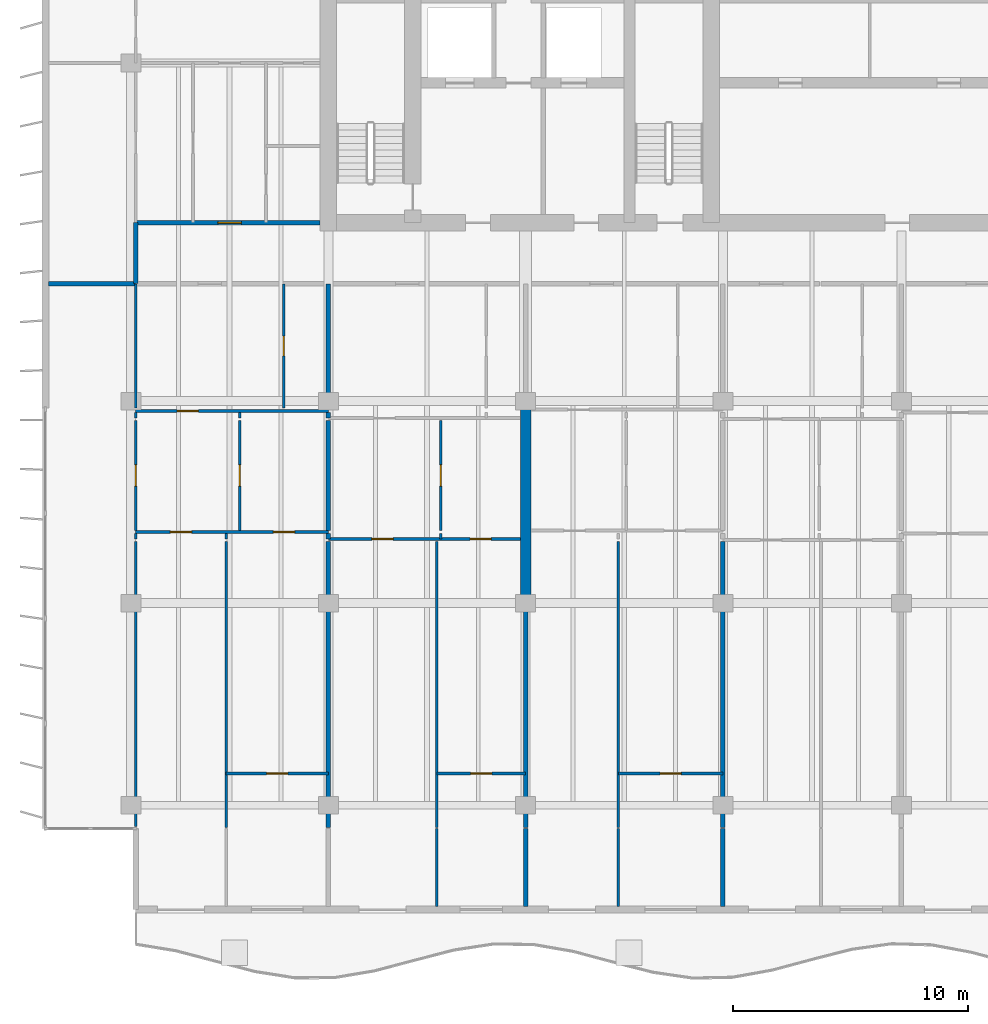
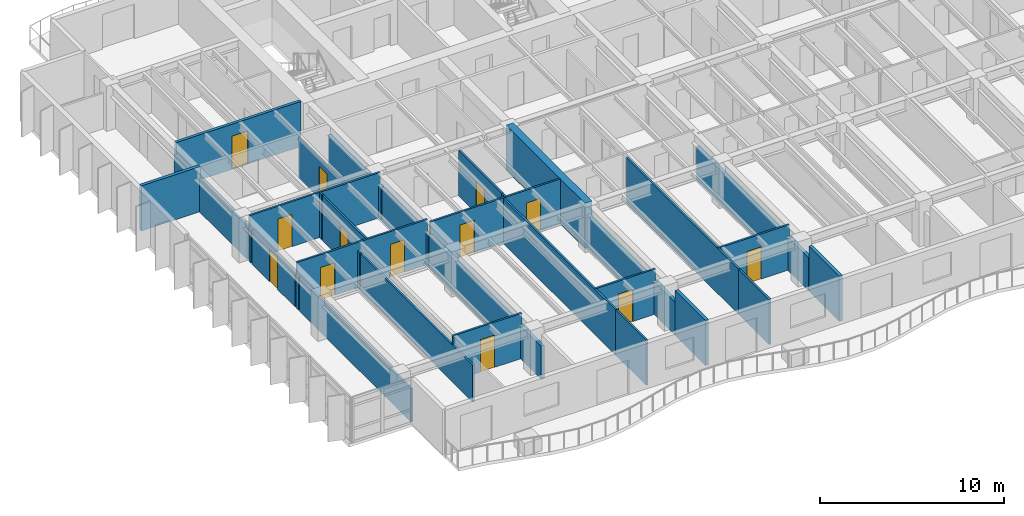
# One storey, part 8 of 19: 35 walls, 13 doors, 13 openings.
"""IFC4 building model written with IfcOpenShell, lengths in metres."""

from ifc_helpers import new_model, si_unit, direction, frame, frame_2d, origin, place, context, subcontext, project, spatial, rectangle, extrude, material, layer, layer_set, type_object, element, fill, save


model = new_model("IFC4")

# Units and contexts
model_context = context("Model", 3, precision=1e-05, world=origin(), true_north=direction((0.0, 1.0)))
body_context = subcontext(model_context, "Body", "Model", "MODEL_VIEW")
ifc_project = project(units=[si_unit("LENGTHUNIT", "METRE"), si_unit("AREAUNIT", "SQUARE_METRE"), si_unit("VOLUMEUNIT", "CUBIC_METRE"), si_unit("PLANEANGLEUNIT", "RADIAN"), si_unit("MASSUNIT", "GRAM", prefix="KILO")], contexts=[model_context])

# Site, building, storey
site_placement = place(None, origin())
site = spatial("IfcSite", under=ifc_project, at=site_placement, CompositionType="ELEMENT")
building_placement = place(site_placement, origin())
building = spatial("IfcBuilding", under=site, at=building_placement, Name="Caelmar Bay Residences", CompositionType="ELEMENT")
storey_placement = place(building_placement, frame((0.0, 0.0, 218.10009765625)))
storey = spatial("IfcBuildingStorey", under=building, at=storey_placement, Name="L61", CompositionType="ELEMENT", Elevation=218.10009765625)

# Walls
ifc_material_1 = material(Name="Concrete f'c 55 MPa (8,000 psi)", Category="concrete")
ifc_layer_1 = layer(ifc_material_1, 0.449951171875)
ifc_layer_set_1 = layer_set([ifc_layer_1], Name="Concrete f'c 55 MPa (8,000 psi)")
wall_type_1 = type_object("IfcWallType", Name="SW-XSLB-450", PredefinedType="SHEAR", material=ifc_layer_set_1)
wall_1_placement = place(storey_placement, frame((26.699951171875, 20.800048828125, 0.0), z_axis=(0.0, 0.0, 1.0), x_axis=(0.0, 1.0, 0.0)))
element("IfcWall", 1, at=wall_1_placement, inside=storey, type_object=wall_type_1, Name="L61 Transverse Cross-Slab Shear Wall W5", PredefinedType="SHEAR", context=body_context, shape_type="SweptSolid", body=[
    extrude(rectangle(XDim=8.599853515625, YDim=0.449951171875, at=frame_2d((4.2998046875, 0.0))), origin(), (0.0, 0.0, 1.0), 3.0),
])
ifc_material_2 = material(Name="Double-stud acoustic fire-rated gypsum partition 180 mm")
ifc_layer_2 = layer(ifc_material_2, 0.179931640625)
ifc_layer_set_2 = layer_set([ifc_layer_2], Name="Double-stud acoustic fire-rated gypsum partition 180 mm")
wall_type_2 = type_object("IfcWallType", Name="W-COR-200", PredefinedType="PARTITIONING", material=ifc_layer_set_2)
wall_2_placement = place(storey_placement, frame((10.10009765625, 34.405029296875, 0.0), z_axis=(0.0, 0.0, 1.0), x_axis=(0.0, 1.0, 0.0)))
element("IfcWall", 2, at=wall_2_placement, inside=storey, type_object=wall_type_2, Name="L61 Partition Wall V006", PredefinedType="PARTITIONING", context=body_context, shape_type="SweptSolid", body=[
    extrude(rectangle(XDim=2.594970703125, YDim=0.179931640625, at=frame_2d((1.29736328125, 0.0))), origin(), (0.0, 0.0, 1.0), 2.212890625),
])

# Wall, opening, door
wall_3_placement = place(storey_placement, frame((10.10009765625, 37.0, 0.0), z_axis=(0.0, 0.0, 1.0), x_axis=(1.0, 0.0, 0.0)))
wall_3 = element("IfcWall", 3, at=wall_3_placement, inside=storey, type_object=wall_type_2, Name="L61 Partition Wall H130", PredefinedType="PARTITIONING", context=body_context, shape_type="SweptSolid", body=[
    extrude(rectangle(XDim=7.844970703125, YDim=0.179931640625, at=frame_2d((3.92236328125, 0.0))), origin(), (0.0, 0.0, 1.0), 3.0),
])
opening_1_placement = place(wall_3_placement, frame((3.49609375, 0.0, 0.0)))
opening_1 = element("IfcOpeningElement", 4, at=opening_1_placement, cuts=wall_3, Name="Opening D-L61-171", PredefinedType="OPENING", context=body_context, shape_type="SweptSolid", body=[
    extrude(rectangle(XDim=1.0, YDim=2.199951171875, at=frame_2d((0.5, 1.10009765625))), frame((0.0, 0.099853515625, 0.0), z_axis=(0.0, -1.0, 0.0), x_axis=(1.0, 0.0, 0.0)), (0.0, 0.0, 1.0), 0.199951171875),
])
ifc_material_3 = material(Name="Fire-rated steel and walnut architectural door assembly", Category="steel")
ifc_layer_3 = layer(ifc_material_3, 0.050048828125)
ifc_layer_set_3 = layer_set([ifc_layer_3], Name="Fire-rated steel and walnut architectural door assembly")
door_type_1 = type_object("IfcDoorType", Name="D-UNIT-1000", OperationType="NOTDEFINED", PredefinedType="DOOR", material=ifc_layer_set_3)
door_1_placement = place(opening_1_placement, origin())
door_1 = element("IfcDoor", 5, at=door_1_placement, inside=storey, type_object=door_type_1, Name="L61 Residence WA Kitchen Door", OperationType="SINGLE_SWING_LEFT", OverallHeight=2.199951171875, OverallWidth=1.0, PredefinedType="DOOR", context=body_context, shape_type="SweptSolid", body=[
    extrude(rectangle(XDim=1.0, YDim=2.199951171875, at=frame_2d((0.5, 1.10009765625))), frame((0.0, 0.02490234375, 0.0), z_axis=(0.0, -1.0, 0.0), x_axis=(1.0, 0.0, 0.0)), (0.0, 0.0, 1.0), 0.050048828125),
])
fill(opening_1, door_1)

# Walls
ifc_material_4 = material(Name="Acoustic metal-stud gypsum partition 120 mm")
ifc_layer_4 = layer(ifc_material_4, 0.1201171875)
ifc_layer_set_4 = layer_set([ifc_layer_4], Name="Acoustic metal-stud gypsum partition 120 mm")
wall_type_3 = type_object("IfcWallType", Name="W-PRT-120", PredefinedType="PARTITIONING", material=ifc_layer_set_4)
wall_4_placement = place(storey_placement, frame((10.10009765625, 11.284912109375, 0.0), z_axis=(0.0, 0.0, 1.0), x_axis=(0.0, 1.0, 0.0)))
element("IfcWall", 6, at=wall_4_placement, inside=storey, type_object=wall_type_3, Name="L61 Partition Wall V001", PredefinedType="PARTITIONING", context=body_context, shape_type="SweptSolid", body=[
    extrude(rectangle(XDim=12.14501953125, YDim=0.1201171875, at=frame_2d((6.072509765625, 0.0))), origin(), (0.0, 0.0, 1.0), 2.212890625),
])
wall_5_placement = place(storey_placement, frame((10.10009765625, 23.530029296875, 0.0), z_axis=(0.0, 0.0, 1.0), x_axis=(0.0, 1.0, 0.0)))
element("IfcWall", 7, at=wall_5_placement, inside=storey, type_object=wall_type_3, Name="L61 Partition Wall V002", PredefinedType="PARTITIONING", context=body_context, shape_type="SweptSolid", body=[
    extrude(rectangle(XDim=0.239990234375, YDim=0.1201171875, at=frame_2d((0.1201171875, 0.0))), origin(), (0.0, 0.0, 1.0), 2.212890625),
])

# Wall, opening, door
wall_6_placement = place(storey_placement, frame((10.10009765625, 23.889892578125, 0.0), z_axis=(0.0, 0.0, 1.0), x_axis=(0.0, 1.0, 0.0)))
wall_6 = element("IfcWall", 8, at=wall_6_placement, inside=storey, type_object=wall_type_3, Name="L61 Partition Wall V003", PredefinedType="PARTITIONING", context=body_context, shape_type="SweptSolid", body=[
    extrude(rectangle(XDim=4.690185546875, YDim=0.1201171875, at=frame_2d((2.34521484375, 0.0))), origin(), (0.0, 0.0, 1.0), 2.212890625),
])
opening_2_placement = place(wall_6_placement, frame((1.89501953125, 0.0, 0.0)))
opening_2 = element("IfcOpeningElement", 9, at=opening_2_placement, cuts=wall_6, Name="Opening D-L61-168", PredefinedType="OPENING", context=body_context, shape_type="SweptSolid", body=[
    extrude(rectangle(XDim=0.89990234375, YDim=2.14990234375, at=frame_2d((0.449951171875, 1.074951171875))), frame((0.0, 0.070068359375, 0.0), z_axis=(0.0, -1.0, 0.0), x_axis=(1.0, 0.0, 0.0)), (0.0, 0.0, 1.0), 0.14013671875),
])
ifc_material_5 = material(Name="Solid walnut timber interior door leaf and frame", Category="wood")
ifc_layer_5 = layer(ifc_material_5, 0.050048828125)
ifc_layer_set_5 = layer_set([ifc_layer_5], Name="Solid walnut timber interior door leaf and frame")
door_type_2 = type_object("IfcDoorType", Name="D-ROOM-900", OperationType="NOTDEFINED", PredefinedType="DOOR", material=ifc_layer_set_5)
door_2_placement = place(opening_2_placement, origin())
door_2 = element("IfcDoor", 10, at=door_2_placement, inside=storey, type_object=door_type_2, Name="L61 Residence 01 Penthouse West Salon Door", OperationType="SINGLE_SWING_RIGHT", OverallHeight=2.14990234375, OverallWidth=0.89990234375, PredefinedType="DOOR", context=body_context, shape_type="SweptSolid", body=[
    extrude(rectangle(XDim=0.89990234375, YDim=2.14990234375, at=frame_2d((0.449951171875, 1.074951171875))), frame((0.0, 0.02490234375, 0.0), z_axis=(0.0, -1.0, 0.0), x_axis=(1.0, 0.0, 0.0)), (0.0, 0.0, 1.0), 0.050048828125),
])
fill(opening_2, door_2)

# Walls
wall_7_placement = place(storey_placement, frame((10.10009765625, 28.679931640625, 0.0), z_axis=(0.0, 0.0, 1.0), x_axis=(0.0, 1.0, 0.0)))
element("IfcWall", 11, at=wall_7_placement, inside=storey, type_object=wall_type_3, Name="L61 Partition Wall V004", PredefinedType="PARTITIONING", context=body_context, shape_type="SweptSolid", body=[
    extrude(rectangle(XDim=0.239990234375, YDim=0.1201171875, at=frame_2d((0.1201171875, 0.0))), origin(), (0.0, 0.0, 1.0), 2.212890625),
])
wall_8_placement = place(storey_placement, frame((10.10009765625, 29.10009765625, 0.0), z_axis=(0.0, 0.0, 1.0), x_axis=(0.0, 1.0, 0.0)))
element("IfcWall", 12, at=wall_8_placement, inside=storey, type_object=wall_type_3, Name="L61 Partition Wall V005", PredefinedType="PARTITIONING", context=body_context, shape_type="SweptSolid", body=[
    extrude(rectangle(XDim=5.2998046875, YDim=0.1201171875, at=frame_2d((2.64990234375, 0.0))), origin(), (0.0, 0.0, 1.0), 2.212890625),
])
wall_9_placement = place(storey_placement, frame((13.9541015625, 11.239990234375, 0.0), z_axis=(0.0, 0.0, 1.0), x_axis=(0.0, 1.0, 0.0)))
element("IfcWall", 13, at=wall_9_placement, inside=storey, type_object=wall_type_3, Name="L61 Partition Wall V011", PredefinedType="PARTITIONING", context=body_context, shape_type="SweptSolid", body=[
    extrude(rectangle(XDim=12.18994140625, YDim=0.1201171875, at=frame_2d((6.094970703125, 0.0))), origin(), (0.0, 0.0, 1.0), 2.448974609375),
])
wall_10_placement = place(storey_placement, frame((13.9541015625, 23.530029296875, 0.0), z_axis=(0.0, 0.0, 1.0), x_axis=(0.0, 1.0, 0.0)))
element("IfcWall", 14, at=wall_10_placement, inside=storey, type_object=wall_type_3, Name="L61 Partition Wall V012", PredefinedType="PARTITIONING", context=body_context, shape_type="SweptSolid", body=[
    extrude(rectangle(XDim=0.239990234375, YDim=0.1201171875, at=frame_2d((0.1201171875, 0.0))), origin(), (0.0, 0.0, 1.0), 2.448974609375),
])

# Wall, opening, door
wall_11_placement = place(storey_placement, frame((14.528076171875, 23.889892578125, 0.0), z_axis=(0.0, 0.0, 1.0), x_axis=(0.0, 1.0, 0.0)))
wall_11 = element("IfcWall", 15, at=wall_11_placement, inside=storey, type_object=wall_type_3, Name="L61 Partition Wall V013", PredefinedType="PARTITIONING", context=body_context, shape_type="SweptSolid", body=[
    extrude(rectangle(XDim=4.690185546875, YDim=0.1201171875, at=frame_2d((2.34521484375, 0.0))), origin(), (0.0, 0.0, 1.0), 3.0),
])
opening_3_placement = place(wall_11_placement, frame((1.89501953125, 0.0, 0.0)))
opening_3 = element("IfcOpeningElement", 16, at=opening_3_placement, cuts=wall_11, Name="Opening D-L61-123", PredefinedType="OPENING", context=body_context, shape_type="SweptSolid", body=[
    extrude(rectangle(XDim=0.89990234375, YDim=2.14990234375, at=frame_2d((0.449951171875, 1.074951171875))), frame((0.0, 0.070068359375, 0.0), z_axis=(0.0, -1.0, 0.0), x_axis=(1.0, 0.0, 0.0)), (0.0, 0.0, 1.0), 0.14013671875),
])
door_3_placement = place(opening_3_placement, origin())
door_3 = element("IfcDoor", 17, at=door_3_placement, inside=storey, type_object=door_type_2, Name="L61 Residence 01 Curator Office Door", OperationType="SINGLE_SWING_LEFT", OverallHeight=2.14990234375, OverallWidth=0.89990234375, PredefinedType="DOOR", context=body_context, shape_type="SweptSolid", body=[
    extrude(rectangle(XDim=0.89990234375, YDim=2.14990234375, at=frame_2d((0.449951171875, 1.074951171875))), frame((0.0, 0.02490234375, 0.0), z_axis=(0.0, -1.0, 0.0), x_axis=(1.0, 0.0, 0.0)), (0.0, 0.0, 1.0), 0.050048828125),
])
fill(opening_3, door_3)

# Wall
wall_12_placement = place(storey_placement, frame((14.528076171875, 28.679931640625, 0.0), z_axis=(0.0, 0.0, 1.0), x_axis=(0.0, 1.0, 0.0)))
element("IfcWall", 18, at=wall_12_placement, inside=storey, type_object=wall_type_3, Name="L61 Partition Wall V014", PredefinedType="PARTITIONING", context=body_context, shape_type="SweptSolid", body=[
    extrude(rectangle(XDim=0.239990234375, YDim=0.1201171875, at=frame_2d((0.1201171875, 0.0))), origin(), (0.0, 0.0, 1.0), 3.0),
])

# Wall, opening, door
wall_13_placement = place(storey_placement, frame((16.39990234375, 29.10009765625, 0.0), z_axis=(0.0, 0.0, 1.0), x_axis=(0.0, 1.0, 0.0)))
wall_13 = element("IfcWall", 19, at=wall_13_placement, inside=storey, type_object=wall_type_3, Name="L61 Partition Wall V016", PredefinedType="PARTITIONING", context=body_context, shape_type="SweptSolid", body=[
    extrude(rectangle(XDim=5.2998046875, YDim=0.1201171875, at=frame_2d((2.64990234375, 0.0))), origin(), (0.0, 0.0, 1.0), 2.6748046875),
])
opening_4_placement = place(wall_13_placement, frame((2.22509765625, 0.0, 0.0)))
opening_4 = element("IfcOpeningElement", 20, at=opening_4_placement, cuts=wall_13, Name="Opening D-L61-121", PredefinedType="OPENING", context=body_context, shape_type="SweptSolid", body=[
    extrude(rectangle(XDim=0.85009765625, YDim=2.10009765625, at=frame_2d((0.425048828125, 1.050048828125))), frame((0.0, 0.070068359375, 0.0), z_axis=(0.0, -1.0, 0.0), x_axis=(1.0, 0.0, 0.0)), (0.0, 0.0, 1.0), 0.14013671875),
])
ifc_layer_6 = layer(ifc_material_5, 0.050048828125)
ifc_layer_set_6 = layer_set([ifc_layer_6], Name="Solid walnut timber interior door leaf and frame")
door_type_3 = type_object("IfcDoorType", Name="D-BATH-850", OperationType="NOTDEFINED", PredefinedType="DOOR", material=ifc_layer_set_6)
door_4_placement = place(opening_4_placement, origin())
door_4 = element("IfcDoor", 21, at=door_4_placement, inside=storey, type_object=door_type_3, Name="L61 Residence 01 Bathroom Door", OperationType="SINGLE_SWING_LEFT", OverallHeight=2.10009765625, OverallWidth=0.85009765625, PredefinedType="DOOR", context=body_context, shape_type="SweptSolid", body=[
    extrude(rectangle(XDim=0.85009765625, YDim=2.10009765625, at=frame_2d((0.425048828125, 1.050048828125))), frame((0.0, 0.02490234375, 0.0), z_axis=(0.0, -1.0, 0.0), x_axis=(1.0, 0.0, 0.0)), (0.0, 0.0, 1.0), 0.050048828125),
])
fill(opening_4, door_4)

# Walls
wall_14_placement = place(storey_placement, frame((22.919921875, 7.89501953125, 0.0), z_axis=(0.0, 0.0, 1.0), x_axis=(0.0, 1.0, 0.0)))
element("IfcWall", 22, at=wall_14_placement, inside=storey, type_object=wall_type_3, Name="L61 Partition Wall V024", PredefinedType="PARTITIONING", context=body_context, shape_type="SweptSolid", body=[
    extrude(rectangle(XDim=3.304931640625, YDim=0.1201171875, at=frame_2d((1.65234375, 0.0))), origin(), (0.0, 0.0, 1.0), 3.0),
])
wall_15_placement = place(storey_placement, frame((22.919921875, 11.239990234375, 0.0), z_axis=(0.0, 0.0, 1.0), x_axis=(0.0, 1.0, 0.0)))
element("IfcWall", 23, at=wall_15_placement, inside=storey, type_object=wall_type_3, Name="L61 Partition Wall V025", PredefinedType="PARTITIONING", context=body_context, shape_type="SweptSolid", body=[
    extrude(rectangle(XDim=12.18994140625, YDim=0.1201171875, at=frame_2d((6.094970703125, 0.0))), origin(), (0.0, 0.0, 1.0), 3.0),
])
wall_16_placement = place(storey_placement, frame((23.0859375, 23.530029296875, 0.0), z_axis=(0.0, 0.0, 1.0), x_axis=(0.0, 1.0, 0.0)))
element("IfcWall", 24, at=wall_16_placement, inside=storey, type_object=wall_type_3, Name="L61 Partition Wall V026", PredefinedType="PARTITIONING", context=body_context, shape_type="SweptSolid", body=[
    extrude(rectangle(XDim=0.239990234375, YDim=0.1201171875, at=frame_2d((0.1201171875, 0.0))), origin(), (0.0, 0.0, 1.0), 3.0),
])

# Wall, opening, door
wall_17_placement = place(storey_placement, frame((23.0859375, 23.889892578125, 0.0), z_axis=(0.0, 0.0, 1.0), x_axis=(0.0, 1.0, 0.0)))
wall_17 = element("IfcWall", 25, at=wall_17_placement, inside=storey, type_object=wall_type_3, Name="L61 Partition Wall V027", PredefinedType="PARTITIONING", context=body_context, shape_type="SweptSolid", body=[
    extrude(rectangle(XDim=4.690185546875, YDim=0.1201171875, at=frame_2d((2.34521484375, 0.0))), origin(), (0.0, 0.0, 1.0), 3.0),
])
opening_5_placement = place(wall_17_placement, frame((1.89501953125, 0.0, 0.0)))
opening_5 = element("IfcOpeningElement", 26, at=opening_5_placement, cuts=wall_17, Name="Opening D-L61-130", PredefinedType="OPENING", context=body_context, shape_type="SweptSolid", body=[
    extrude(rectangle(XDim=0.89990234375, YDim=2.14990234375, at=frame_2d((0.449951171875, 1.074951171875))), frame((0.0, 0.070068359375, 0.0), z_axis=(0.0, -1.0, 0.0), x_axis=(1.0, 0.0, 0.0)), (0.0, 0.0, 1.0), 0.14013671875),
])
door_5_placement = place(opening_5_placement, origin())
door_5 = element("IfcDoor", 27, at=door_5_placement, inside=storey, type_object=door_type_2, Name="L61 Residence 02 Curator Office Door", OperationType="SINGLE_SWING_RIGHT", OverallHeight=2.14990234375, OverallWidth=0.89990234375, PredefinedType="DOOR", context=body_context, shape_type="SweptSolid", body=[
    extrude(rectangle(XDim=0.89990234375, YDim=2.14990234375, at=frame_2d((0.449951171875, 1.074951171875))), frame((0.0, 0.02490234375, 0.0), z_axis=(0.0, -1.0, 0.0), x_axis=(1.0, 0.0, 0.0)), (0.0, 0.0, 1.0), 0.050048828125),
])
fill(opening_5, door_5)

# Walls
wall_18_placement = place(storey_placement, frame((30.64794921875, 7.89501953125, 0.0), z_axis=(0.0, 0.0, 1.0), x_axis=(0.0, 1.0, 0.0)))
element("IfcWall", 28, at=wall_18_placement, inside=storey, type_object=wall_type_3, Name="L61 Partition Wall V036", PredefinedType="PARTITIONING", context=body_context, shape_type="SweptSolid", body=[
    extrude(rectangle(XDim=3.304931640625, YDim=0.1201171875, at=frame_2d((1.65234375, 0.0))), origin(), (0.0, 0.0, 1.0), 3.0),
])
wall_19_placement = place(storey_placement, frame((30.64794921875, 11.239990234375, 0.0), z_axis=(0.0, 0.0, 1.0), x_axis=(0.0, 1.0, 0.0)))
element("IfcWall", 29, at=wall_19_placement, inside=storey, type_object=wall_type_3, Name="L61 Partition Wall V037", PredefinedType="PARTITIONING", context=body_context, shape_type="SweptSolid", body=[
    extrude(rectangle(XDim=12.18994140625, YDim=0.1201171875, at=frame_2d((6.094970703125, 0.0))), origin(), (0.0, 0.0, 1.0), 3.0),
])

# Wall, opening, door
wall_20_placement = place(storey_placement, frame((13.9541015625, 13.550048828125, 0.0), z_axis=(0.0, 0.0, 1.0), x_axis=(1.0, 0.0, 0.0)))
wall_20 = element("IfcWall", 30, at=wall_20_placement, inside=storey, type_object=wall_type_3, Name="L61 Partition Wall H104", PredefinedType="PARTITIONING", context=body_context, shape_type="SweptSolid", body=[
    extrude(rectangle(XDim=4.345947265625, YDim=0.1201171875, at=frame_2d((2.1728515625, 0.0))), origin(), (0.0, 0.0, 1.0), 3.0),
])
opening_6_placement = place(wall_20_placement, frame((1.722900390625, 0.0, 0.0)))
opening_6 = element("IfcOpeningElement", 31, at=opening_6_placement, cuts=wall_20, Name="Opening D-L61-126", PredefinedType="OPENING", context=body_context, shape_type="SweptSolid", body=[
    extrude(rectangle(XDim=0.89990234375, YDim=2.14990234375, at=frame_2d((0.449951171875, 1.074951171875))), frame((0.0, 0.070068359375, 0.0), z_axis=(0.0, -1.0, 0.0), x_axis=(1.0, 0.0, 0.0)), (0.0, 0.0, 1.0), 0.14013671875),
])
door_6_placement = place(opening_6_placement, origin())
door_6 = element("IfcDoor", 32, at=door_6_placement, inside=storey, type_object=door_type_2, Name="L61 Residence 01 Primary Bedroom Door", OperationType="SINGLE_SWING_RIGHT", OverallHeight=2.14990234375, OverallWidth=0.89990234375, PredefinedType="DOOR", context=body_context, shape_type="SweptSolid", body=[
    extrude(rectangle(XDim=0.89990234375, YDim=2.14990234375, at=frame_2d((0.449951171875, 1.074951171875))), frame((0.0, 0.02490234375, 0.0), z_axis=(0.0, -1.0, 0.0), x_axis=(1.0, 0.0, 0.0)), (0.0, 0.0, 1.0), 0.050048828125),
])
fill(opening_6, door_6)

wall_21_placement = place(storey_placement, frame((22.919921875, 13.550048828125, 0.0), z_axis=(0.0, 0.0, 1.0), x_axis=(1.0, 0.0, 0.0)))
wall_21 = element("IfcWall", 33, at=wall_21_placement, inside=storey, type_object=wall_type_3, Name="L61 Partition Wall H105", PredefinedType="PARTITIONING", context=body_context, shape_type="SweptSolid", body=[
    extrude(rectangle(XDim=3.780029296875, YDim=0.1201171875, at=frame_2d((1.89013671875, 0.0))), origin(), (0.0, 0.0, 1.0), 3.0),
])
opening_7_placement = place(wall_21_placement, frame((1.43994140625, 0.0, 0.0)))
opening_7 = element("IfcOpeningElement", 34, at=opening_7_placement, cuts=wall_21, Name="Opening D-L61-133", PredefinedType="OPENING", context=body_context, shape_type="SweptSolid", body=[
    extrude(rectangle(XDim=0.89990234375, YDim=2.14990234375, at=frame_2d((0.449951171875, 1.074951171875))), frame((0.0, 0.070068359375, 0.0), z_axis=(0.0, -1.0, 0.0), x_axis=(1.0, 0.0, 0.0)), (0.0, 0.0, 1.0), 0.14013671875),
])
door_7_placement = place(opening_7_placement, origin())
door_7 = element("IfcDoor", 35, at=door_7_placement, inside=storey, type_object=door_type_2, Name="L61 Residence 02 Primary Bedroom Door", OperationType="SINGLE_SWING_LEFT", OverallHeight=2.14990234375, OverallWidth=0.89990234375, PredefinedType="DOOR", context=body_context, shape_type="SweptSolid", body=[
    extrude(rectangle(XDim=0.89990234375, YDim=2.14990234375, at=frame_2d((0.449951171875, 1.074951171875))), frame((0.0, 0.02490234375, 0.0), z_axis=(0.0, -1.0, 0.0), x_axis=(1.0, 0.0, 0.0)), (0.0, 0.0, 1.0), 0.050048828125),
])
fill(opening_7, door_7)

wall_22_placement = place(storey_placement, frame((30.64794921875, 13.550048828125, 0.0), z_axis=(0.0, 0.0, 1.0), x_axis=(1.0, 0.0, 0.0)))
wall_22 = element("IfcWall", 36, at=wall_22_placement, inside=storey, type_object=wall_type_3, Name="L61 Partition Wall H106", PredefinedType="PARTITIONING", context=body_context, shape_type="SweptSolid", body=[
    extrude(rectangle(XDim=4.4521484375, YDim=0.1201171875, at=frame_2d((2.22607421875, 0.0))), origin(), (0.0, 0.0, 1.0), 3.0),
])
opening_8_placement = place(wall_22_placement, frame((1.77587890625, 0.0, 0.0)))
opening_8 = element("IfcOpeningElement", 37, at=opening_8_placement, cuts=wall_22, Name="Opening D-L61-140", PredefinedType="OPENING", context=body_context, shape_type="SweptSolid", body=[
    extrude(rectangle(XDim=0.89990234375, YDim=2.14990234375, at=frame_2d((0.449951171875, 1.074951171875))), frame((0.0, 0.070068359375, 0.0), z_axis=(0.0, -1.0, 0.0), x_axis=(1.0, 0.0, 0.0)), (0.0, 0.0, 1.0), 0.14013671875),
])
door_8_placement = place(opening_8_placement, origin())
door_8 = element("IfcDoor", 38, at=door_8_placement, inside=storey, type_object=door_type_2, Name="L61 Residence 03 Primary Bedroom Door", OperationType="SINGLE_SWING_RIGHT", OverallHeight=2.14990234375, OverallWidth=0.89990234375, PredefinedType="DOOR", context=body_context, shape_type="SweptSolid", body=[
    extrude(rectangle(XDim=0.89990234375, YDim=2.14990234375, at=frame_2d((0.449951171875, 1.074951171875))), frame((0.0, 0.02490234375, 0.0), z_axis=(0.0, -1.0, 0.0), x_axis=(1.0, 0.0, 0.0)), (0.0, 0.0, 1.0), 0.050048828125),
])
fill(opening_8, door_8)

# Wall, openings, doors
wall_23_placement = place(storey_placement, frame((18.300048828125, 23.530029296875, 0.0), z_axis=(0.0, 0.0, 1.0), x_axis=(1.0, 0.0, 0.0)))
wall_23 = element("IfcWall", 39, at=wall_23_placement, inside=storey, type_object=wall_type_3, Name="L61 Partition Wall H113", PredefinedType="PARTITIONING", context=body_context, shape_type="SweptSolid", body=[
    extrude(rectangle(XDim=8.179931640625, YDim=0.1201171875, at=frame_2d((4.08984375, 0.0))), origin(), (0.0, 0.0, 1.0), 3.0),
])
opening_9_placement = place(wall_23_placement, frame((1.860107421875, 0.0, 0.0)))
opening_9 = element("IfcOpeningElement", 40, at=opening_9_placement, cuts=wall_23, Name="Opening D-L61-131", PredefinedType="OPENING", context=body_context, shape_type="SweptSolid", body=[
    extrude(rectangle(XDim=0.89990234375, YDim=2.14990234375, at=frame_2d((0.449951171875, 1.074951171875))), frame((0.0, 0.070068359375, 0.0), z_axis=(0.0, -1.0, 0.0), x_axis=(1.0, 0.0, 0.0)), (0.0, 0.0, 1.0), 0.14013671875),
])
opening_10_placement = place(wall_23_placement, frame((6.032958984375, 0.0, 0.0)))
opening_10 = element("IfcOpeningElement", 41, at=opening_10_placement, cuts=wall_23, Name="Opening D-L61-132", PredefinedType="OPENING", context=body_context, shape_type="SweptSolid", body=[
    extrude(rectangle(XDim=0.89990234375, YDim=2.14990234375, at=frame_2d((0.449951171875, 1.074951171875))), frame((0.0, 0.070068359375, 0.0), z_axis=(0.0, -1.0, 0.0), x_axis=(1.0, 0.0, 0.0)), (0.0, 0.0, 1.0), 0.14013671875),
])
door_9_placement = place(opening_9_placement, origin())
door_9 = element("IfcDoor", 42, at=door_9_placement, inside=storey, type_object=door_type_2, Name="L61 Residence 02 Living Room Door", OperationType="SINGLE_SWING_LEFT", OverallHeight=2.14990234375, OverallWidth=0.89990234375, PredefinedType="DOOR", context=body_context, shape_type="SweptSolid", body=[
    extrude(rectangle(XDim=0.89990234375, YDim=2.14990234375, at=frame_2d((0.449951171875, 1.074951171875))), frame((0.0, 0.02490234375, 0.0), z_axis=(0.0, -1.0, 0.0), x_axis=(1.0, 0.0, 0.0)), (0.0, 0.0, 1.0), 0.050048828125),
])
fill(opening_9, door_9)
door_10_placement = place(opening_10_placement, origin())
door_10 = element("IfcDoor", 43, at=door_10_placement, inside=storey, type_object=door_type_2, Name="L61 Residence 02 Penthouse Sitting Room Door", OperationType="SINGLE_SWING_RIGHT", OverallHeight=2.14990234375, OverallWidth=0.89990234375, PredefinedType="DOOR", context=body_context, shape_type="SweptSolid", body=[
    extrude(rectangle(XDim=0.89990234375, YDim=2.14990234375, at=frame_2d((0.449951171875, 1.074951171875))), frame((0.0, 0.02490234375, 0.0), z_axis=(0.0, -1.0, 0.0), x_axis=(1.0, 0.0, 0.0)), (0.0, 0.0, 1.0), 0.050048828125),
])
fill(opening_10, door_10)

wall_24_placement = place(storey_placement, frame((10.10009765625, 23.830078125, 0.0), z_axis=(0.0, 0.0, 1.0), x_axis=(1.0, 0.0, 0.0)))
wall_24 = element("IfcWall", 44, at=wall_24_placement, inside=storey, type_object=wall_type_3, Name="L61 Partition Wall H115", PredefinedType="PARTITIONING", context=body_context, shape_type="SweptSolid", body=[
    extrude(rectangle(XDim=8.199951171875, YDim=0.1201171875, at=frame_2d((4.10009765625, 0.0))), origin(), (0.0, 0.0, 1.0), 3.0),
])
opening_11_placement = place(wall_24_placement, frame((1.47705078125, 0.0, 0.0)))
opening_11 = element("IfcOpeningElement", 45, at=opening_11_placement, cuts=wall_24, Name="Opening D-L61-124", PredefinedType="OPENING", context=body_context, shape_type="SweptSolid", body=[
    extrude(rectangle(XDim=0.89990234375, YDim=2.14990234375, at=frame_2d((0.449951171875, 1.074951171875))), frame((0.0, 0.070068359375, 0.0), z_axis=(0.0, -1.0, 0.0), x_axis=(1.0, 0.0, 0.0)), (0.0, 0.0, 1.0), 0.14013671875),
])
opening_12_placement = place(wall_24_placement, frame((5.864013671875, 0.0, 0.0)))
opening_12 = element("IfcOpeningElement", 46, at=opening_12_placement, cuts=wall_24, Name="Opening D-L61-125", PredefinedType="OPENING", context=body_context, shape_type="SweptSolid", body=[
    extrude(rectangle(XDim=0.89990234375, YDim=2.14990234375, at=frame_2d((0.449951171875, 1.074951171875))), frame((0.0, 0.070068359375, 0.0), z_axis=(0.0, -1.0, 0.0), x_axis=(1.0, 0.0, 0.0)), (0.0, 0.0, 1.0), 0.14013671875),
])
door_11_placement = place(opening_11_placement, origin())
door_11 = element("IfcDoor", 47, at=door_11_placement, inside=storey, type_object=door_type_2, Name="L61 Residence 01 Living Room Door", OperationType="SINGLE_SWING_RIGHT", OverallHeight=2.14990234375, OverallWidth=0.89990234375, PredefinedType="DOOR", context=body_context, shape_type="SweptSolid", body=[
    extrude(rectangle(XDim=0.89990234375, YDim=2.14990234375, at=frame_2d((0.449951171875, 1.074951171875))), frame((0.0, 0.02490234375, 0.0), z_axis=(0.0, -1.0, 0.0), x_axis=(1.0, 0.0, 0.0)), (0.0, 0.0, 1.0), 0.050048828125),
])
fill(opening_11, door_11)
door_12_placement = place(opening_12_placement, origin())
door_12 = element("IfcDoor", 48, at=door_12_placement, inside=storey, type_object=door_type_2, Name="L61 Residence 01 Penthouse Sitting Room Door", OperationType="SINGLE_SWING_LEFT", OverallHeight=2.14990234375, OverallWidth=0.89990234375, PredefinedType="DOOR", context=body_context, shape_type="SweptSolid", body=[
    extrude(rectangle(XDim=0.89990234375, YDim=2.14990234375, at=frame_2d((0.449951171875, 1.074951171875))), frame((0.0, 0.02490234375, 0.0), z_axis=(0.0, -1.0, 0.0), x_axis=(1.0, 0.0, 0.0)), (0.0, 0.0, 1.0), 0.050048828125),
])
fill(opening_12, door_12)

# Wall, opening, door
wall_25_placement = place(storey_placement, frame((10.10009765625, 28.97998046875, 0.0), z_axis=(0.0, 0.0, 1.0), x_axis=(1.0, 0.0, 0.0)))
wall_25 = element("IfcWall", 49, at=wall_25_placement, inside=storey, type_object=wall_type_3, Name="L61 Partition Wall H123", PredefinedType="PARTITIONING", context=body_context, shape_type="SweptSolid", body=[
    extrude(rectangle(XDim=8.199951171875, YDim=0.1201171875, at=frame_2d((4.10009765625, 0.0))), origin(), (0.0, 0.0, 1.0), 3.0),
])
opening_13_placement = place(wall_25_placement, frame((1.763916015625, 0.0, 0.0)))
opening_13 = element("IfcOpeningElement", 50, at=opening_13_placement, cuts=wall_25, Name="Opening D-L61-122", PredefinedType="OPENING", context=body_context, shape_type="SweptSolid", body=[
    extrude(rectangle(XDim=0.89990234375, YDim=2.14990234375, at=frame_2d((0.449951171875, 1.074951171875))), frame((0.0, 0.070068359375, 0.0), z_axis=(0.0, -1.0, 0.0), x_axis=(1.0, 0.0, 0.0)), (0.0, 0.0, 1.0), 0.14013671875),
])
door_13_placement = place(opening_13_placement, origin())
door_13 = element("IfcDoor", 51, at=door_13_placement, inside=storey, type_object=door_type_2, Name="L61 Residence 01 Kitchen Door", OperationType="SINGLE_SWING_RIGHT", OverallHeight=2.14990234375, OverallWidth=0.89990234375, PredefinedType="DOOR", context=body_context, shape_type="SweptSolid", body=[
    extrude(rectangle(XDim=0.89990234375, YDim=2.14990234375, at=frame_2d((0.449951171875, 1.074951171875))), frame((0.0, 0.02490234375, 0.0), z_axis=(0.0, -1.0, 0.0), x_axis=(1.0, 0.0, 0.0)), (0.0, 0.0, 1.0), 0.050048828125),
])
fill(opening_13, door_13)

# Walls
ifc_material_6 = material(Name="Acoustic twin-stud fire-rated inter-tenancy partition 200 mm")
ifc_layer_7 = layer(ifc_material_6, 0.199951171875)
ifc_layer_set_7 = layer_set([ifc_layer_7], Name="Acoustic twin-stud fire-rated inter-tenancy partition 200 mm")
wall_type_4 = type_object("IfcWallType", Name="W-PTY-200", PredefinedType="PARTITIONING", material=ifc_layer_set_7)
wall_26_placement = place(storey_placement, frame((18.300048828125, 11.239990234375, 0.0), z_axis=(0.0, 0.0, 1.0), x_axis=(0.0, 1.0, 0.0)))
element("IfcWall", 52, at=wall_26_placement, inside=storey, type_object=wall_type_4, Name="L61 Partition Wall V018", PredefinedType="PARTITIONING", context=body_context, shape_type="SweptSolid", body=[
    extrude(rectangle(XDim=12.18994140625, YDim=0.199951171875, at=frame_2d((6.094970703125, 0.0))), origin(), (0.0, 0.0, 1.0), 2.212890625),
])
wall_27_placement = place(storey_placement, frame((18.300048828125, 23.530029296875, 0.0), z_axis=(0.0, 0.0, 1.0), x_axis=(0.0, 1.0, 0.0)))
element("IfcWall", 53, at=wall_27_placement, inside=storey, type_object=wall_type_4, Name="L61 Partition Wall V019", PredefinedType="PARTITIONING", context=body_context, shape_type="SweptSolid", body=[
    extrude(rectangle(XDim=0.239990234375, YDim=0.199951171875, at=frame_2d((0.1201171875, 0.0))), origin(), (0.0, 0.0, 1.0), 2.212890625),
])
wall_28_placement = place(storey_placement, frame((18.300048828125, 23.889892578125, 0.0), z_axis=(0.0, 0.0, 1.0), x_axis=(0.0, 1.0, 0.0)))
element("IfcWall", 54, at=wall_28_placement, inside=storey, type_object=wall_type_4, Name="L61 Partition Wall V020", PredefinedType="PARTITIONING", context=body_context, shape_type="SweptSolid", body=[
    extrude(rectangle(XDim=4.690185546875, YDim=0.199951171875, at=frame_2d((2.34521484375, 0.0))), origin(), (0.0, 0.0, 1.0), 2.212890625),
])
wall_29_placement = place(storey_placement, frame((18.300048828125, 28.679931640625, 0.0), z_axis=(0.0, 0.0, 1.0), x_axis=(0.0, 1.0, 0.0)))
element("IfcWall", 55, at=wall_29_placement, inside=storey, type_object=wall_type_4, Name="L61 Partition Wall V021", PredefinedType="PARTITIONING", context=body_context, shape_type="SweptSolid", body=[
    extrude(rectangle(XDim=0.239990234375, YDim=0.199951171875, at=frame_2d((0.1201171875, 0.0))), origin(), (0.0, 0.0, 1.0), 2.212890625),
])
wall_30_placement = place(storey_placement, frame((18.300048828125, 29.10009765625, 0.0), z_axis=(0.0, 0.0, 1.0), x_axis=(0.0, 1.0, 0.0)))
element("IfcWall", 56, at=wall_30_placement, inside=storey, type_object=wall_type_4, Name="L61 Partition Wall V022", PredefinedType="PARTITIONING", context=body_context, shape_type="SweptSolid", body=[
    extrude(rectangle(XDim=5.2998046875, YDim=0.199951171875, at=frame_2d((2.64990234375, 0.0))), origin(), (0.0, 0.0, 1.0), 2.212890625),
])
wall_31_placement = place(storey_placement, frame((26.699951171875, 7.89501953125, 0.0), z_axis=(0.0, 0.0, 1.0), x_axis=(0.0, 1.0, 0.0)))
element("IfcWall", 57, at=wall_31_placement, inside=storey, type_object=wall_type_4, Name="L61 Partition Wall V031", PredefinedType="PARTITIONING", context=body_context, shape_type="SweptSolid", body=[
    extrude(rectangle(XDim=3.304931640625, YDim=0.199951171875, at=frame_2d((1.65234375, 0.0))), origin(), (0.0, 0.0, 1.0), 3.0),
])
wall_32_placement = place(storey_placement, frame((26.699951171875, 11.239990234375, 0.0), z_axis=(0.0, 0.0, 1.0), x_axis=(0.0, 1.0, 0.0)))
element("IfcWall", 58, at=wall_32_placement, inside=storey, type_object=wall_type_4, Name="L61 Partition Wall V032", PredefinedType="PARTITIONING", context=body_context, shape_type="SweptSolid", body=[
    extrude(rectangle(XDim=9.554931640625, YDim=0.199951171875, at=frame_2d((4.77734375, 0.0))), origin(), (0.0, 0.0, 1.0), 2.212890625),
])
wall_33_placement = place(storey_placement, frame((35.10009765625, 7.89501953125, 0.0), z_axis=(0.0, 0.0, 1.0), x_axis=(0.0, 1.0, 0.0)))
element("IfcWall", 59, at=wall_33_placement, inside=storey, type_object=wall_type_4, Name="L61 Partition Wall V042", PredefinedType="PARTITIONING", context=body_context, shape_type="SweptSolid", body=[
    extrude(rectangle(XDim=3.304931640625, YDim=0.199951171875, at=frame_2d((1.65234375, 0.0))), origin(), (0.0, 0.0, 1.0), 3.0),
])
wall_34_placement = place(storey_placement, frame((35.10009765625, 11.239990234375, 0.0), z_axis=(0.0, 0.0, 1.0), x_axis=(0.0, 1.0, 0.0)))
element("IfcWall", 60, at=wall_34_placement, inside=storey, type_object=wall_type_4, Name="L61 Partition Wall V043", PredefinedType="PARTITIONING", context=body_context, shape_type="SweptSolid", body=[
    extrude(rectangle(XDim=12.18994140625, YDim=0.199951171875, at=frame_2d((6.094970703125, 0.0))), origin(), (0.0, 0.0, 1.0), 2.212890625),
])
wall_35_placement = place(storey_placement, frame((6.39501953125, 34.39990234375, 0.0), z_axis=(0.0, 0.0, 1.0), x_axis=(1.0, 0.0, 0.0)))
element("IfcWall", 61, at=wall_35_placement, inside=storey, type_object=wall_type_4, Name="L61 Partition Wall H126", PredefinedType="PARTITIONING", context=body_context, shape_type="SweptSolid", body=[
    extrude(rectangle(XDim=3.705078125, YDim=0.199951171875, at=frame_2d((1.8525390625, 0.0))), origin(), (0.0, 0.0, 1.0), 3.0),
])

save(model, "model.ifc")
